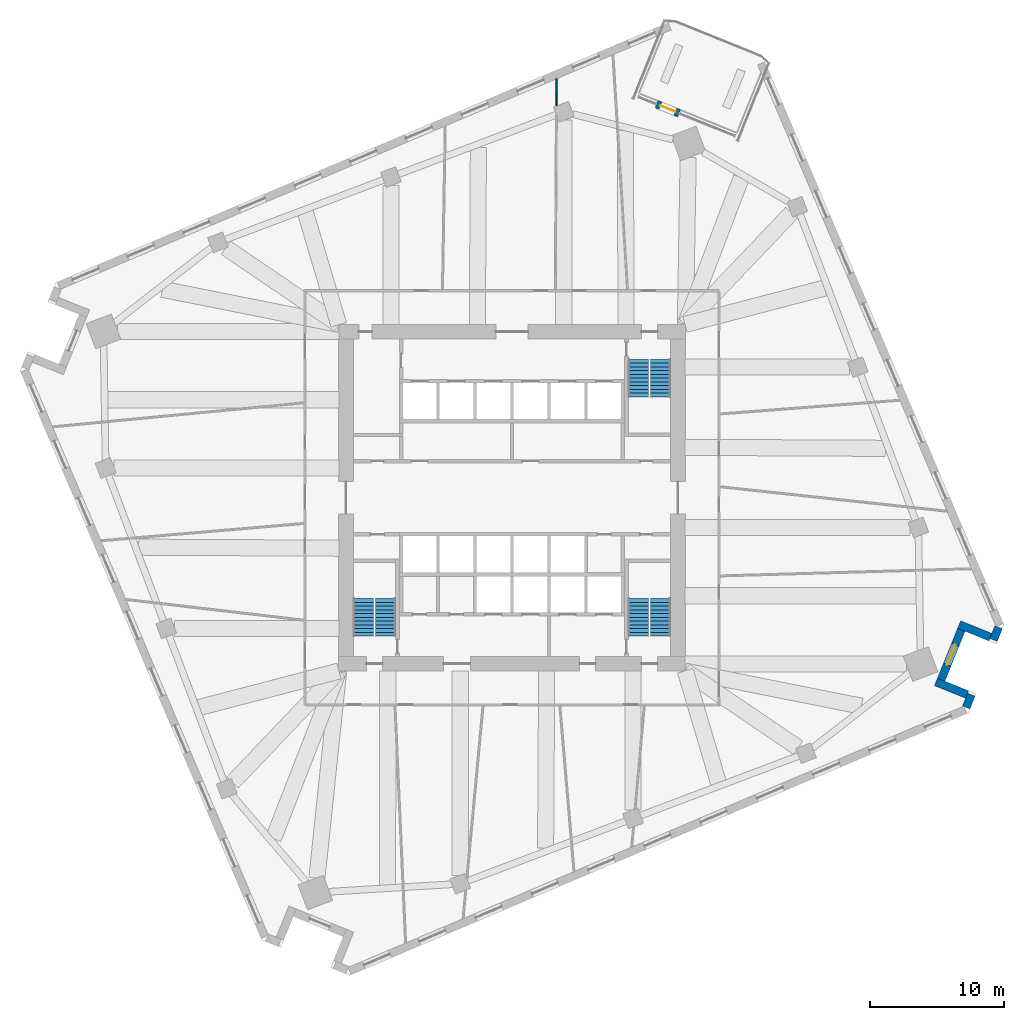
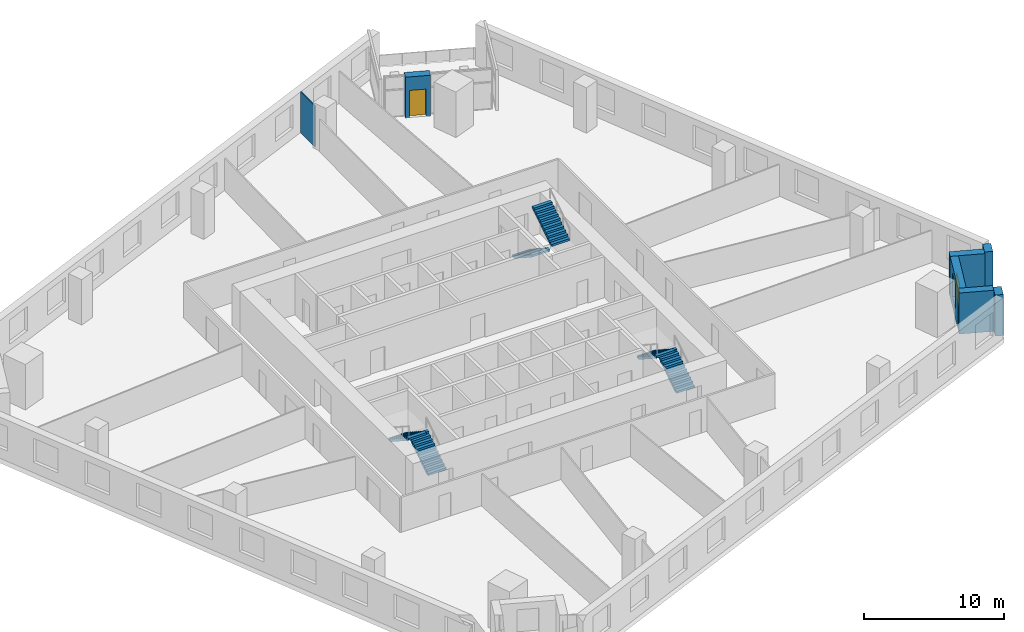
# One storey, part 10 of 12: 7 walls, 6 stair flights, 1 door, 1 window, 2 openings, 3 elements without a shape of their own.
"""IFC4 building model written with IfcOpenShell, lengths in metres."""

from ifc_helpers import new_model, si_unit, direction, frame, frame_2d, origin, place, context, subcontext, project, spatial, polyline, rectangle, outline, extrude, material, layer, layer_set, type_object, element, fill, aggregate, save


model = new_model("IFC4")

# Units and contexts
model_context = context("Model", 3, precision=1e-05, world=origin(), true_north=direction((0.0, 1.0)))
body_context = subcontext(model_context, "Body", "Model", "MODEL_VIEW")
ifc_project = project(units=[si_unit("LENGTHUNIT", "METRE"), si_unit("AREAUNIT", "SQUARE_METRE"), si_unit("VOLUMEUNIT", "CUBIC_METRE"), si_unit("PLANEANGLEUNIT", "RADIAN"), si_unit("MASSUNIT", "GRAM", prefix="KILO")], contexts=[model_context])

# Site, building, storey
site_placement = place(None, origin())
site = spatial("IfcSite", under=ifc_project, at=site_placement, CompositionType="ELEMENT")
building_placement = place(site_placement, origin())
building = spatial("IfcBuilding", under=site, at=building_placement, Name="Dilmun Exchange Tower", CompositionType="ELEMENT")
storey_placement = place(building_placement, frame((0.0, 0.0, 114.10009765625)))
storey = spatial("IfcBuildingStorey", under=building, at=storey_placement, Name="L26", CompositionType="ELEMENT", Elevation=114.10009765625)

# Walls
ifc_material_1 = material(Name="Partition 100")
ifc_layer_1 = layer(ifc_material_1, 0.10009765625)
ifc_layer_set_1 = layer_set([ifc_layer_1], Name="Partition 100")
wall_type_1 = type_object("IfcWallType", Name="Partition 100", PredefinedType="PARTITIONING", material=ifc_layer_set_1)
wall_1_placement = place(storey_placement, frame((3.31005859375, 29.150390625, 0.0), z_axis=(0.0, 0.0, 1.0), x_axis=(0.006392343161, 0.999979568766, 0.0)))
element("IfcWall", 1, at=wall_1_placement, inside=storey, type_object=wall_type_1, Name="Partition", PredefinedType="PARTITIONING", context=body_context, shape_type="SweptSolid", body=[
    extrude(rectangle(XDim=2.024169921875, YDim=0.10009765625, at=frame_2d((1.01220703125, 0.0))), origin(), (0.0, 0.0, 1.0), 3.579833984375),
])
ifc_material_2 = material(Name="Precast concrete C50/60", Category="concrete")
ifc_layer_2 = layer(ifc_material_2, 0.60009765625)
ifc_layer_set_2 = layer_set([ifc_layer_2], Name="Precast concrete C50/60")
wall_type_2 = type_object("IfcWallType", Name="Precast stone-clad wall 600", PredefinedType="STANDARD", material=ifc_layer_set_2)
wall_2_placement = place(storey_placement, frame((33.79638671875, -15.5927734375, 0.0), z_axis=(0.0, 0.0, 1.0), x_axis=(0.374718526687, 0.92713862273, 0.0)))
element("IfcWall", 2, at=wall_2_placement, inside=storey, type_object=wall_type_2, Name="Facade wall L26-16", PredefinedType="STANDARD", context=body_context, shape_type="SweptSolid", body=[
    extrude(rectangle(XDim=1.01123046875, YDim=0.60009765625, at=frame_2d((0.505615234375, 0.0))), origin(), (0.0, 0.0, 1.0), 3.579833984375),
])
wall_3_placement = place(storey_placement, frame((33.859619140625, -14.635498046875, 0.0), z_axis=(0.0, 0.0, 1.0), x_axis=(-0.927177918056, 0.374621286461, 0.0)))
element("IfcWall", 3, at=wall_3_placement, inside=storey, type_object=wall_type_2, Name="Facade wall L26-17", PredefinedType="STANDARD", context=body_context, shape_type="SweptSolid", body=[
    extrude(rectangle(XDim=2.5, YDim=0.60009765625, at=frame_2d((1.25, 0.0))), origin(), (0.0, 0.0, 1.0), 3.579833984375),
])

# Wall, opening, window
wall_4_placement = place(storey_placement, frame((31.93212890625, -13.533203125, 0.0), z_axis=(0.0, 0.0, 1.0), x_axis=(0.374629554127, 0.927174577507, 0.0)))
wall_4 = element("IfcWall", 4, at=wall_4_placement, inside=storey, type_object=wall_type_2, Name="Facade wall L26-18", PredefinedType="STANDARD", context=body_context, shape_type="SweptSolid", body=[
    extrude(rectangle(XDim=4.0, YDim=0.60009765625, at=frame_2d((2.0, 0.0))), origin(), (0.0, 0.0, 1.0), 3.579833984375),
])
opening_1_placement = place(wall_4_placement, frame((1.199951171875, 0.0, 0.89990234375)))
opening_1 = element("IfcOpeningElement", 5, at=opening_1_placement, cuts=wall_4, Name="Opening W160-210", PredefinedType="OPENING", context=body_context, shape_type="SweptSolid", body=[
    extrude(rectangle(XDim=1.60009765625, YDim=2.10009765625, at=frame_2d((0.800048828125, 1.050048828125))), frame((0.0, 0.31005859375, 0.0), z_axis=(0.0, -1.0, 0.0), x_axis=(1.0, 0.0, 0.0)), (0.0, 0.0, 1.0), 0.6201171875),
])
ifc_material_3 = material(Name="Clear low-emissivity glass in aluminium frame", Category="aluminium")
window_type = type_object("IfcWindowType", Name="Punched window 1600 x 2100", PartitioningType="DOUBLE_PANEL_VERTICAL", PredefinedType="WINDOW", material=ifc_material_3)
window_placement = place(opening_1_placement, origin())
window = element("IfcWindow", 6, at=window_placement, inside=storey, type_object=window_type, Name="Window 19.1", OverallHeight=2.10009765625, OverallWidth=1.60009765625, PartitioningType="SINGLE_PANEL", PredefinedType="WINDOW", context=body_context, shape_type="SweptSolid", body=[
    extrude(rectangle(XDim=1.60009765625, YDim=2.10009765625, at=frame_2d((0.800048828125, 1.050048828125))), frame((0.0, 0.030029296875, 0.0), z_axis=(0.0, -1.0, 0.0), x_axis=(1.0, 0.0, 0.0)), (0.0, 0.0, 1.0), 0.06005859375),
])
fill(opening_1, window)

# Walls
wall_5_placement = place(storey_placement, frame((33.264892578125, -9.43408203125, 0.0), z_axis=(0.0, 0.0, 1.0), x_axis=(0.927177918056, -0.374621286461, 0.0)))
element("IfcWall", 7, at=wall_5_placement, inside=storey, type_object=wall_type_2, Name="Facade wall L26-19", PredefinedType="STANDARD", context=body_context, shape_type="SweptSolid", body=[
    extrude(rectangle(XDim=2.5, YDim=0.60009765625, at=frame_2d((1.25, 0.0))), origin(), (0.0, 0.0, 1.0), 3.579833984375),
])
wall_6_placement = place(storey_placement, frame((35.823486328125, -10.57568359375, 0.0), z_axis=(0.0, 0.0, 1.0), x_axis=(0.374634662987, 0.92717251323, 0.0)))
element("IfcWall", 8, at=wall_6_placement, inside=storey, type_object=wall_type_2, Name="Facade wall L26-20", PredefinedType="STANDARD", context=body_context, shape_type="SweptSolid", body=[
    extrude(rectangle(XDim=1.011474609375, YDim=0.60009765625, at=frame_2d((0.505859375, 0.0))), origin(), (0.0, 0.0, 1.0), 3.579833984375),
])

# Wall, opening, door
wall_7_placement = place(storey_placement, frame((12.433837890625, 28.6015625, 0.0), z_axis=(0.0, 0.0, 1.0), x_axis=(-0.927180240316, 0.374615538876, 0.0)))
wall_7 = element("IfcWall", 9, at=wall_7_placement, inside=storey, type_object=wall_type_2, Name="Facade wall L26-01-D", PredefinedType="STANDARD", context=body_context, shape_type="SweptSolid", body=[
    extrude(rectangle(XDim=1.800048828125, YDim=0.60009765625, at=frame_2d((0.89990234375, 0.0))), origin(), (0.0, 0.0, 1.0), 3.579833984375),
])
opening_2_placement = place(wall_7_placement, frame((0.300048828125, 0.0, 0.0)))
opening_2 = element("IfcOpeningElement", 10, at=opening_2_placement, cuts=wall_7, Name="Opening GD-1", PredefinedType="OPENING", context=body_context, shape_type="SweptSolid", body=[
    extrude(rectangle(XDim=1.199951171875, YDim=2.39990234375, at=frame_2d((0.60009765625, 1.199951171875))), frame((0.0, 0.31005859375, 0.0), z_axis=(0.0, -1.0, 0.0), x_axis=(1.0, 0.0, 0.0)), (0.0, 0.0, 1.0), 0.6201171875),
])
door_type = type_object("IfcDoorType", Name="Glazed garden door 1200 x 2400", OperationType="SINGLE_SWING_LEFT", PredefinedType="DOOR", material=ifc_material_3)
door_placement = place(opening_2_placement, origin())
door = element("IfcDoor", 11, at=door_placement, inside=storey, type_object=door_type, Name="Garden terrace door", OperationType="SINGLE_SWING_LEFT", OverallHeight=2.39990234375, OverallWidth=1.199951171875, PredefinedType="DOOR", context=body_context, shape_type="SweptSolid", body=[
    extrude(rectangle(XDim=1.199951171875, YDim=2.39990234375, at=frame_2d((0.60009765625, 1.199951171875))), frame((0.0, 0.02490234375, 0.0), z_axis=(0.0, -1.0, 0.0), x_axis=(1.0, 0.0, 0.0)), (0.0, 0.0, 1.0), 0.050048828125),
])
fill(opening_2, door)

# Stair, stair flights
ifc_material_4 = material(Name="Concrete C40/50", Category="concrete")
stair_type = type_object("IfcStairType", Name="Exit stair 1500 half-turn", PredefinedType="HALF_TURN_STAIR", material=ifc_material_4)
stair_1_placement = place(storey_placement, origin())
stair_1 = element("IfcStair", 12, at=stair_1_placement, inside=storey, type_object=stair_type, Name="L26 Protected exit stair ST1", PredefinedType="HALF_TURN_STAIR")
stair_flight_type = type_object("IfcStairFlightType", Name="Exit stair flight 1500", PredefinedType="STRAIGHT", material=ifc_material_4)
stair_flight_1_placement = place(storey_placement, frame((9.39990234375, 10.300048828125, 0.0), z_axis=(0.0, 0.0, 1.0), x_axis=(0.0, -1.0, 0.0)))
stair_flight_1 = element("IfcStairFlight", 13, at=stair_flight_1_placement, type_object=stair_flight_type, Name="ST1 flight 1", NumberOfRisers=11, NumberOfTreads=10, PredefinedType="STRAIGHT", RiserHeight=0.181818182, TreadLength=0.28, context=body_context, shape_type="SweptSolid", body=[
    extrude(outline(polyline([(0.0, 0.0), (0.0, 0.181884765625), (0.280029296875, 0.181884765625), (0.280029296875, 0.363525390625), (0.56005859375, 0.363525390625), (0.56005859375, 0.54541015625), (0.840087890625, 0.54541015625), (0.840087890625, 0.727294921875), (1.1201171875, 0.727294921875), (1.1201171875, 0.9091796875), (1.39990234375, 0.9091796875), (1.39990234375, 1.0908203125), (1.679931640625, 1.0908203125), (1.679931640625, 1.272705078125), (1.9599609375, 1.272705078125), (1.9599609375, 1.45458984375), (2.239990234375, 1.45458984375), (2.239990234375, 1.636474609375), (2.52001953125, 1.636474609375), (2.52001953125, 1.818115234375), (2.800048828125, 1.818115234375), (2.800048828125, 2.0), (2.800048828125, 1.639404296875), (0.275146484375, 0.0), (0.0, 0.0)])), frame((0.0, 0.75, 0.0), z_axis=(0.0, -1.0, 0.0), x_axis=(1.0, 0.0, 0.0)), (0.0, 0.0, 1.0), 1.5),
])
stair_flight_2_placement = place(storey_placement, frame((11.050048828125, 7.5, 2.0), z_axis=(0.0, 0.0, 1.0), x_axis=(0.0, 1.0, 0.0)))
stair_flight_2 = element("IfcStairFlight", 14, at=stair_flight_2_placement, type_object=stair_flight_type, Name="ST1 flight 2", NumberOfRisers=11, NumberOfTreads=10, PredefinedType="STRAIGHT", RiserHeight=0.181818182, TreadLength=0.28, context=body_context, shape_type="SweptSolid", body=[
    extrude(outline(polyline([(0.0, 0.0), (0.0, 0.181884765625), (0.280029296875, 0.181884765625), (0.280029296875, 0.363525390625), (0.56005859375, 0.363525390625), (0.56005859375, 0.54541015625), (0.840087890625, 0.54541015625), (0.840087890625, 0.727294921875), (1.1201171875, 0.727294921875), (1.1201171875, 0.9091796875), (1.39990234375, 0.9091796875), (1.39990234375, 1.0908203125), (1.679931640625, 1.0908203125), (1.679931640625, 1.272705078125), (1.9599609375, 1.272705078125), (1.9599609375, 1.45458984375), (2.239990234375, 1.45458984375), (2.239990234375, 1.636474609375), (2.52001953125, 1.636474609375), (2.52001953125, 1.818115234375), (2.800048828125, 1.818115234375), (2.800048828125, 2.0), (2.800048828125, 1.639404296875), (0.275146484375, 0.0), (0.0, 0.0)])), frame((0.0, 0.75, 0.0), z_axis=(0.0, -1.0, 0.0), x_axis=(1.0, 0.0, 0.0)), (0.0, 0.0, 1.0), 1.5),
])
aggregate(stair_1, [stair_flight_1, stair_flight_2])

stair_2_placement = place(storey_placement, origin())
stair_2 = element("IfcStair", 15, at=stair_2_placement, inside=storey, type_object=stair_type, Name="L26 Protected exit stair ST2", PredefinedType="HALF_TURN_STAIR")
stair_flight_3_placement = place(storey_placement, frame((-9.39990234375, -10.300048828125, 0.0), z_axis=(0.0, 0.0, 1.0), x_axis=(0.0, 1.0, 0.0)))
stair_flight_3 = element("IfcStairFlight", 16, at=stair_flight_3_placement, type_object=stair_flight_type, Name="ST2 flight 1", NumberOfRisers=11, NumberOfTreads=10, PredefinedType="STRAIGHT", RiserHeight=0.181818182, TreadLength=0.28, context=body_context, shape_type="SweptSolid", body=[
    extrude(outline(polyline([(0.0, 0.0), (0.0, 0.181884765625), (0.280029296875, 0.181884765625), (0.280029296875, 0.363525390625), (0.56005859375, 0.363525390625), (0.56005859375, 0.54541015625), (0.840087890625, 0.54541015625), (0.840087890625, 0.727294921875), (1.1201171875, 0.727294921875), (1.1201171875, 0.9091796875), (1.39990234375, 0.9091796875), (1.39990234375, 1.0908203125), (1.679931640625, 1.0908203125), (1.679931640625, 1.272705078125), (1.9599609375, 1.272705078125), (1.9599609375, 1.45458984375), (2.239990234375, 1.45458984375), (2.239990234375, 1.636474609375), (2.52001953125, 1.636474609375), (2.52001953125, 1.818115234375), (2.800048828125, 1.818115234375), (2.800048828125, 2.0), (2.800048828125, 1.639404296875), (0.275146484375, 0.0), (0.0, 0.0)])), frame((0.0, 0.75, 0.0), z_axis=(0.0, -1.0, 0.0), x_axis=(1.0, 0.0, 0.0)), (0.0, 0.0, 1.0), 1.5),
])
stair_flight_4_placement = place(storey_placement, frame((-11.050048828125, -7.5, 2.0), z_axis=(0.0, 0.0, 1.0), x_axis=(0.0, -1.0, 0.0)))
stair_flight_4 = element("IfcStairFlight", 17, at=stair_flight_4_placement, type_object=stair_flight_type, Name="ST2 flight 2", NumberOfRisers=11, NumberOfTreads=10, PredefinedType="STRAIGHT", RiserHeight=0.181818182, TreadLength=0.28, context=body_context, shape_type="SweptSolid", body=[
    extrude(outline(polyline([(0.0, 0.0), (0.0, 0.181884765625), (0.280029296875, 0.181884765625), (0.280029296875, 0.363525390625), (0.56005859375, 0.363525390625), (0.56005859375, 0.54541015625), (0.840087890625, 0.54541015625), (0.840087890625, 0.727294921875), (1.1201171875, 0.727294921875), (1.1201171875, 0.9091796875), (1.39990234375, 0.9091796875), (1.39990234375, 1.0908203125), (1.679931640625, 1.0908203125), (1.679931640625, 1.272705078125), (1.9599609375, 1.272705078125), (1.9599609375, 1.45458984375), (2.239990234375, 1.45458984375), (2.239990234375, 1.636474609375), (2.52001953125, 1.636474609375), (2.52001953125, 1.818115234375), (2.800048828125, 1.818115234375), (2.800048828125, 2.0), (2.800048828125, 1.639404296875), (0.275146484375, 0.0), (0.0, 0.0)])), frame((0.0, 0.75, 0.0), z_axis=(0.0, -1.0, 0.0), x_axis=(1.0, 0.0, 0.0)), (0.0, 0.0, 1.0), 1.5),
])
aggregate(stair_2, [stair_flight_3, stair_flight_4])

stair_3_placement = place(storey_placement, origin())
stair_3 = element("IfcStair", 18, at=stair_3_placement, inside=storey, type_object=stair_type, Name="L26 Protected exit stair ST3", PredefinedType="HALF_TURN_STAIR")
stair_flight_5_placement = place(storey_placement, frame((11.050048828125, -10.300048828125, 0.0), z_axis=(0.0, 0.0, 1.0), x_axis=(0.0, 1.0, 0.0)))
stair_flight_5 = element("IfcStairFlight", 19, at=stair_flight_5_placement, type_object=stair_flight_type, Name="ST3 flight 1", NumberOfRisers=11, NumberOfTreads=10, PredefinedType="STRAIGHT", RiserHeight=0.181818182, TreadLength=0.28, context=body_context, shape_type="SweptSolid", body=[
    extrude(outline(polyline([(0.0, 0.0), (0.0, 0.181884765625), (0.280029296875, 0.181884765625), (0.280029296875, 0.363525390625), (0.56005859375, 0.363525390625), (0.56005859375, 0.54541015625), (0.840087890625, 0.54541015625), (0.840087890625, 0.727294921875), (1.1201171875, 0.727294921875), (1.1201171875, 0.9091796875), (1.39990234375, 0.9091796875), (1.39990234375, 1.0908203125), (1.679931640625, 1.0908203125), (1.679931640625, 1.272705078125), (1.9599609375, 1.272705078125), (1.9599609375, 1.45458984375), (2.239990234375, 1.45458984375), (2.239990234375, 1.636474609375), (2.52001953125, 1.636474609375), (2.52001953125, 1.818115234375), (2.800048828125, 1.818115234375), (2.800048828125, 2.0), (2.800048828125, 1.639404296875), (0.275146484375, 0.0), (0.0, 0.0)])), frame((0.0, 0.75, 0.0), z_axis=(0.0, -1.0, 0.0), x_axis=(1.0, 0.0, 0.0)), (0.0, 0.0, 1.0), 1.5),
])
stair_flight_6_placement = place(storey_placement, frame((9.39990234375, -7.5, 2.0), z_axis=(0.0, 0.0, 1.0), x_axis=(0.0, -1.0, 0.0)))
stair_flight_6 = element("IfcStairFlight", 20, at=stair_flight_6_placement, type_object=stair_flight_type, Name="ST3 flight 2", NumberOfRisers=11, NumberOfTreads=10, PredefinedType="STRAIGHT", RiserHeight=0.181818182, TreadLength=0.28, context=body_context, shape_type="SweptSolid", body=[
    extrude(outline(polyline([(0.0, 0.0), (0.0, 0.181884765625), (0.280029296875, 0.181884765625), (0.280029296875, 0.363525390625), (0.56005859375, 0.363525390625), (0.56005859375, 0.54541015625), (0.840087890625, 0.54541015625), (0.840087890625, 0.727294921875), (1.1201171875, 0.727294921875), (1.1201171875, 0.9091796875), (1.39990234375, 0.9091796875), (1.39990234375, 1.0908203125), (1.679931640625, 1.0908203125), (1.679931640625, 1.272705078125), (1.9599609375, 1.272705078125), (1.9599609375, 1.45458984375), (2.239990234375, 1.45458984375), (2.239990234375, 1.636474609375), (2.52001953125, 1.636474609375), (2.52001953125, 1.818115234375), (2.800048828125, 1.818115234375), (2.800048828125, 2.0), (2.800048828125, 1.639404296875), (0.275146484375, 0.0), (0.0, 0.0)])), frame((0.0, 0.75, 0.0), z_axis=(0.0, -1.0, 0.0), x_axis=(1.0, 0.0, 0.0)), (0.0, 0.0, 1.0), 1.5),
])
aggregate(stair_3, [stair_flight_5, stair_flight_6])

save(model, "model.ifc")
